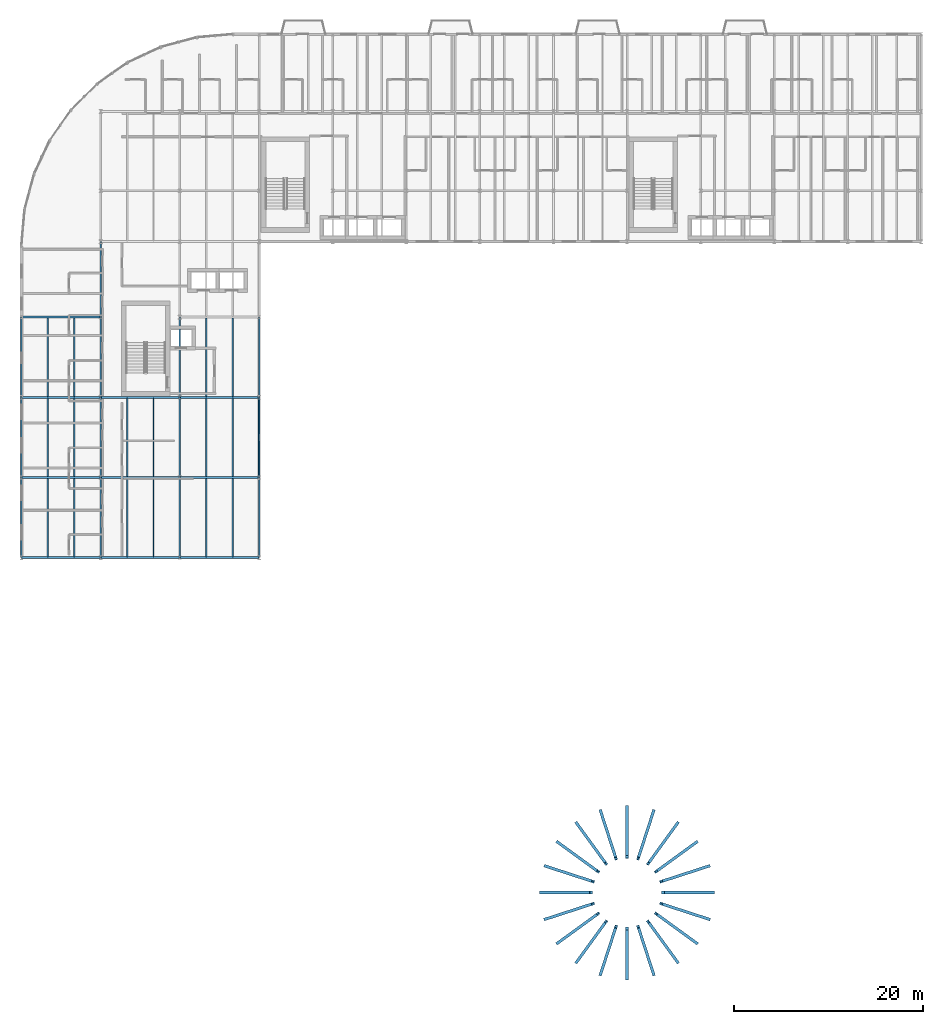
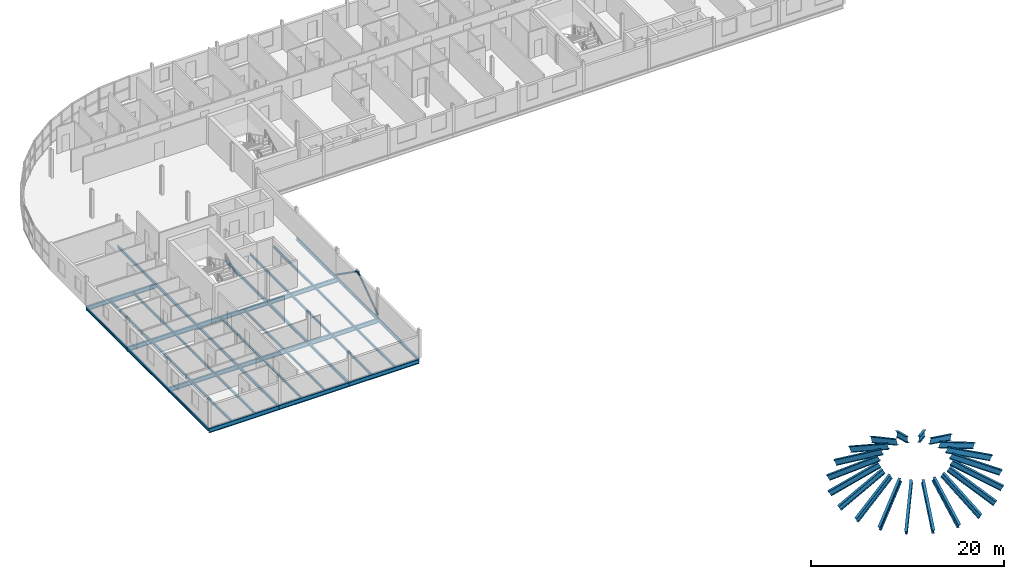
# One storey, part 5 of 25: 39 beams, 22 members.
"""IFC4 building model written with IfcOpenShell, lengths in metres."""

from ifc_helpers import new_model, si_unit, direction, frame, origin, origin_2d, place, context, subcontext, project, spatial, hollow_circle, i_section, extrude, material, material_profile, profile_set, type_object, element, save


model = new_model("IFC4")

# Units and contexts
model_context = context("Model", 3, precision=1e-05, world=origin(), true_north=direction((0.0, 1.0)))
body_context = subcontext(model_context, "Body", "Model", "MODEL_VIEW")
ifc_project = project(units=[si_unit("LENGTHUNIT", "METRE"), si_unit("AREAUNIT", "SQUARE_METRE"), si_unit("VOLUMEUNIT", "CUBIC_METRE"), si_unit("PLANEANGLEUNIT", "RADIAN"), si_unit("MASSUNIT", "GRAM", prefix="KILO")], contexts=[model_context])

# Site, building, storey
site_placement = place(None, origin())
site = spatial("IfcSite", under=ifc_project, at=site_placement, CompositionType="ELEMENT")
building_placement = place(site_placement, origin())
building = spatial("IfcBuilding", under=site, at=building_placement, Name="Sefraquen Railside Congress Hotel", CompositionType="ELEMENT")
storey_placement = place(building_placement, frame((0.0, 0.0, 39.0)))
storey = spatial("IfcBuildingStorey", under=building, at=storey_placement, Name="L09", CompositionType="ELEMENT", Elevation=39.0)

# Beams
ifc_material_1 = material(Name="Steel S355JR", Category="steel")
ifc_material_profile_1 = material_profile(ifc_material_1, i_section(OverallWidth=0.169921875, OverallDepth=0.360107421875, WebThickness=0.008056640625, FlangeThickness=0.0126953125, FilletRadius=0.01806640625, at=origin_2d()), Name="IPE 360")
ifc_profile_set_1 = profile_set([ifc_material_profile_1], Name="Steel S355JR")
beam_type_1 = type_object("IfcBeamType", Name="TB-BM-360", PredefinedType="BEAM", material=ifc_profile_set_1)
for number, where, z_axis, x_axis, name in (
    (1, (0.0, 62.5, -0.39990234375), (0.0, 1.0, 0.0), (-1.0, 0.0, 0.0), "Floor beam BM-L09-2000"),
    (2, (0.0, 71.0, -0.39990234375), (0.0, 1.0, 0.0), (-1.0, 0.0, 0.0), "Floor beam BM-L09-2001"),
    (3, (0.0, 79.5, -0.39990234375), (0.0, 1.0, 0.0), (-1.0, 0.0, 0.0), "Floor beam BM-L09-2002"),
    (4, (8.39990234375, 62.5, -0.39990234375), (0.0, 1.0, 0.0), (-1.0, 0.0, 0.0), "Floor beam BM-L09-2003"),
    (5, (8.39990234375, 71.0, -0.39990234375), (0.0, 1.0, 0.0), (-1.0, 0.0, 0.0), "Floor beam BM-L09-2004"),
    (6, (8.39990234375, 79.5, -0.39990234375), (0.0, 1.0, 0.0), (-1.0, 0.0, 0.0), "Floor beam BM-L09-2005"),
):
    element("IfcBeam", number, at=place(storey_placement, frame(where, z_axis=z_axis, x_axis=x_axis)), inside=storey, type_object=beam_type_1, Name=name, PredefinedType="BEAM", context=body_context, shape_type="SweptSolid", body=[
        extrude(i_section(OverallWidth=0.169921875, OverallDepth=0.360107421875, WebThickness=0.008056640625, FlangeThickness=0.0126953125, FilletRadius=0.01806640625, at=origin_2d()), origin(), (0.0, 0.0, 1.0), 8.5),
    ])
beam_1_placement = place(storey_placement, frame((8.39990234375, 88.0, -0.39990234375), z_axis=(0.0, 1.0, 0.0), x_axis=(-1.0, 0.0, 0.0)))
element("IfcBeam", 7, at=beam_1_placement, inside=storey, type_object=beam_type_1, Name="Floor beam BM-L09-2006", PredefinedType="BEAM", context=body_context, shape_type="SweptSolid", body=[
    extrude(i_section(OverallWidth=0.169921875, OverallDepth=0.360107421875, WebThickness=0.008056640625, FlangeThickness=0.0126953125, FilletRadius=0.01806640625, at=origin_2d()), origin(), (0.0, 0.0, 1.0), 8.0),
])
for number, where, z_axis, x_axis, name in (
    (8, (16.800048828125, 62.5, -0.39990234375), (0.0, 1.0, 0.0), (-1.0, 0.0, 0.0), "Floor beam BM-L09-2009"),
    (9, (16.800048828125, 71.0, -0.39990234375), (0.0, 1.0, 0.0), (-1.0, 0.0, 0.0), "Floor beam BM-L09-2010"),
    (10, (16.800048828125, 79.5, -0.39990234375), (0.0, 1.0, 0.0), (-1.0, 0.0, 0.0), "Floor beam BM-L09-2011"),
    (11, (25.199951171875, 62.5, -0.39990234375), (0.0, 1.0, 0.0), (-1.0, 0.0, 0.0), "Floor beam BM-L09-2015"),
    (12, (25.199951171875, 71.0, -0.39990234375), (0.0, 1.0, 0.0), (-1.0, 0.0, 0.0), "Floor beam BM-L09-2016"),
    (13, (25.199951171875, 79.5, -0.39990234375), (0.0, 1.0, 0.0), (-1.0, 0.0, 0.0), "Floor beam BM-L09-2017"),
):
    element("IfcBeam", number, at=place(storey_placement, frame(where, z_axis=z_axis, x_axis=x_axis)), inside=storey, type_object=beam_type_1, Name=name, PredefinedType="BEAM", context=body_context, shape_type="SweptSolid", body=[
        extrude(i_section(OverallWidth=0.169921875, OverallDepth=0.360107421875, WebThickness=0.008056640625, FlangeThickness=0.0126953125, FilletRadius=0.01806640625, at=origin_2d()), origin(), (0.0, 0.0, 1.0), 8.5),
    ])
ifc_material_profile_2 = material_profile(ifc_material_1, i_section(OverallWidth=0.2099609375, OverallDepth=0.550048828125, WebThickness=0.010986328125, FlangeThickness=0.01708984375, FilletRadius=0.02392578125, at=origin_2d()), Name="IPE 550")
ifc_profile_set_2 = profile_set([ifc_material_profile_2], Name="Steel S355JR")
beam_type_2 = type_object("IfcBeamType", Name="TB-GIR-550", PredefinedType="T_BEAM", material=ifc_profile_set_2)
beam_2_placement = place(storey_placement, frame((0.0, 62.5, -0.4951171875), z_axis=(1.0, 0.0, 0.0), x_axis=(0.0, 1.0, 0.0)))
element("IfcBeam", 14, at=beam_2_placement, inside=storey, type_object=beam_type_2, Name="Primary girder BM-L09-1949", PredefinedType="T_BEAM", context=body_context, shape_type="SweptSolid", body=[
    extrude(i_section(OverallWidth=0.2099609375, OverallDepth=0.550048828125, WebThickness=0.010986328125, FlangeThickness=0.01708984375, FilletRadius=0.02392578125, at=origin_2d()), origin(), (0.0, 0.0, 1.0), 8.39990234375),
])
beam_3_placement = place(storey_placement, frame((8.39990234375, 62.5, -0.4951171875), z_axis=(1.0, 0.0, 0.0), x_axis=(0.0, 1.0, 0.0)))
element("IfcBeam", 15, at=beam_3_placement, inside=storey, type_object=beam_type_2, Name="Primary girder BM-L09-1950", PredefinedType="T_BEAM", context=body_context, shape_type="SweptSolid", body=[
    extrude(i_section(OverallWidth=0.2099609375, OverallDepth=0.550048828125, WebThickness=0.010986328125, FlangeThickness=0.01708984375, FilletRadius=0.02392578125, at=origin_2d()), origin(), (0.0, 0.0, 1.0), 8.400146484375),
])
for number, where, z_axis, x_axis, name in (
    (16, (16.800048828125, 62.5, -0.4951171875), (1.0, 0.0, 0.0), (0.0, 1.0, 0.0), "Primary girder BM-L09-1951"),
    (17, (0.0, 71.0, -0.4951171875), (1.0, 0.0, 0.0), (0.0, 1.0, 0.0), "Primary girder BM-L09-1952"),
):
    element("IfcBeam", number, at=place(storey_placement, frame(where, z_axis=z_axis, x_axis=x_axis)), inside=storey, type_object=beam_type_2, Name=name, PredefinedType="T_BEAM", context=body_context, shape_type="SweptSolid", body=[
        extrude(i_section(OverallWidth=0.2099609375, OverallDepth=0.550048828125, WebThickness=0.010986328125, FlangeThickness=0.01708984375, FilletRadius=0.02392578125, at=origin_2d()), origin(), (0.0, 0.0, 1.0), 8.39990234375),
    ])
beam_4_placement = place(storey_placement, frame((8.39990234375, 71.0, -0.4951171875), z_axis=(1.0, 0.0, 0.0), x_axis=(0.0, 1.0, 0.0)))
element("IfcBeam", 18, at=beam_4_placement, inside=storey, type_object=beam_type_2, Name="Primary girder BM-L09-1953", PredefinedType="T_BEAM", context=body_context, shape_type="SweptSolid", body=[
    extrude(i_section(OverallWidth=0.2099609375, OverallDepth=0.550048828125, WebThickness=0.010986328125, FlangeThickness=0.01708984375, FilletRadius=0.02392578125, at=origin_2d()), origin(), (0.0, 0.0, 1.0), 8.400146484375),
])
for number, where, z_axis, x_axis, name in (
    (19, (16.800048828125, 71.0, -0.4951171875), (1.0, 0.0, 0.0), (0.0, 1.0, 0.0), "Primary girder BM-L09-1954"),
    (20, (0.0, 79.5, -0.4951171875), (1.0, 0.0, 0.0), (0.0, 1.0, 0.0), "Primary girder BM-L09-1955"),
):
    element("IfcBeam", number, at=place(storey_placement, frame(where, z_axis=z_axis, x_axis=x_axis)), inside=storey, type_object=beam_type_2, Name=name, PredefinedType="T_BEAM", context=body_context, shape_type="SweptSolid", body=[
        extrude(i_section(OverallWidth=0.2099609375, OverallDepth=0.550048828125, WebThickness=0.010986328125, FlangeThickness=0.01708984375, FilletRadius=0.02392578125, at=origin_2d()), origin(), (0.0, 0.0, 1.0), 8.39990234375),
    ])
beam_5_placement = place(storey_placement, frame((8.39990234375, 79.5, -0.4951171875), z_axis=(1.0, 0.0, 0.0), x_axis=(0.0, 1.0, 0.0)))
element("IfcBeam", 21, at=beam_5_placement, inside=storey, type_object=beam_type_2, Name="Primary girder BM-L09-1956", PredefinedType="T_BEAM", context=body_context, shape_type="SweptSolid", body=[
    extrude(i_section(OverallWidth=0.2099609375, OverallDepth=0.550048828125, WebThickness=0.010986328125, FlangeThickness=0.01708984375, FilletRadius=0.02392578125, at=origin_2d()), origin(), (0.0, 0.0, 1.0), 8.400146484375),
])
for number, where, z_axis, x_axis, name in (
    (22, (16.800048828125, 79.5, -0.4951171875), (1.0, 0.0, 0.0), (0.0, 1.0, 0.0), "Primary girder BM-L09-1957"),
    (23, (0.0, 88.0, -0.4951171875), (1.0, 0.0, 0.0), (0.0, 1.0, 0.0), "Primary girder BM-L09-1958"),
):
    element("IfcBeam", number, at=place(storey_placement, frame(where, z_axis=z_axis, x_axis=x_axis)), inside=storey, type_object=beam_type_2, Name=name, PredefinedType="T_BEAM", context=body_context, shape_type="SweptSolid", body=[
        extrude(i_section(OverallWidth=0.2099609375, OverallDepth=0.550048828125, WebThickness=0.010986328125, FlangeThickness=0.01708984375, FilletRadius=0.02392578125, at=origin_2d()), origin(), (0.0, 0.0, 1.0), 8.39990234375),
    ])
ifc_material_profile_3 = material_profile(ifc_material_1, i_section(OverallWidth=0.14990234375, OverallDepth=0.300048828125, WebThickness=0.007080078125, FlangeThickness=0.0107421875, FilletRadius=0.014892578125, at=origin_2d()), Name="IPE 300")
ifc_profile_set_3 = profile_set([ifc_material_profile_3], Name="Steel S355JR")
beam_type_3 = type_object("IfcBeamType", Name="TB-JST-300", PredefinedType="JOIST", material=ifc_profile_set_3)
for number, where, z_axis, x_axis, name in (
    (24, (2.800048828125, 62.5849609375, -0.3701171875), (0.0, 1.0, 0.0), (-1.0, 0.0, 0.0), "Composite floor joist BM-L09-J1324"),
    (25, (5.60009765625, 62.5849609375, -0.3701171875), (0.0, 1.0, 0.0), (-1.0, 0.0, 0.0), "Composite floor joist BM-L09-J1325"),
    (26, (2.800048828125, 71.0849609375, -0.3701171875), (0.0, 1.0, 0.0), (-1.0, 0.0, 0.0), "Composite floor joist BM-L09-J1326"),
    (27, (5.60009765625, 71.0849609375, -0.3701171875), (0.0, 1.0, 0.0), (-1.0, 0.0, 0.0), "Composite floor joist BM-L09-J1327"),
    (28, (2.800048828125, 79.5849609375, -0.3701171875), (0.0, 1.0, 0.0), (-1.0, 0.0, 0.0), "Composite floor joist BM-L09-J1328"),
    (29, (5.60009765625, 79.5849609375, -0.3701171875), (0.0, 1.0, 0.0), (-1.0, 0.0, 0.0), "Composite floor joist BM-L09-J1329"),
    (30, (11.199951171875, 62.5849609375, -0.3701171875), (0.0, 1.0, 0.0), (-1.0, 0.0, 0.0), "Composite floor joist BM-L09-J1330"),
    (31, (14.0, 62.5849609375, -0.3701171875), (0.0, 1.0, 0.0), (-1.0, 0.0, 0.0), "Composite floor joist BM-L09-J1331"),
    (32, (11.199951171875, 71.0849609375, -0.3701171875), (0.0, 1.0, 0.0), (-1.0, 0.0, 0.0), "Composite floor joist BM-L09-J1332"),
    (33, (14.0, 71.0849609375, -0.3701171875), (0.0, 1.0, 0.0), (-1.0, 0.0, 0.0), "Composite floor joist BM-L09-J1333"),
    (34, (19.60009765625, 62.5849609375, -0.3701171875), (0.0, 1.0, 0.0), (-1.0, 0.0, 0.0), "Composite floor joist BM-L09-J1338"),
    (35, (22.39990234375, 62.5849609375, -0.3701171875), (0.0, 1.0, 0.0), (-1.0, 0.0, 0.0), "Composite floor joist BM-L09-J1339"),
    (36, (19.60009765625, 71.0849609375, -0.3701171875), (0.0, 1.0, 0.0), (-1.0, 0.0, 0.0), "Composite floor joist BM-L09-J1340"),
    (37, (22.39990234375, 71.0849609375, -0.3701171875), (0.0, 1.0, 0.0), (-1.0, 0.0, 0.0), "Composite floor joist BM-L09-J1341"),
    (38, (19.60009765625, 79.5849609375, -0.3701171875), (0.0, 1.0, 0.0), (-1.0, 0.0, 0.0), "Composite floor joist BM-L09-J1342"),
    (39, (22.39990234375, 79.5849609375, -0.3701171875), (0.0, 1.0, 0.0), (-1.0, 0.0, 0.0), "Composite floor joist BM-L09-J1343"),
):
    element("IfcBeam", number, at=place(storey_placement, frame(where, z_axis=z_axis, x_axis=x_axis)), inside=storey, type_object=beam_type_3, Name=name, PredefinedType="JOIST", context=body_context, shape_type="SweptSolid", body=[
        extrude(i_section(OverallWidth=0.14990234375, OverallDepth=0.300048828125, WebThickness=0.007080078125, FlangeThickness=0.0107421875, FilletRadius=0.014892578125, at=origin_2d()), origin(), (0.0, 0.0, 1.0), 8.330078125),
    ])

# Members
ifc_material_2 = material(Name="Steel S355J2", Category="steel")
ifc_material_profile_4 = material_profile(ifc_material_2, hollow_circle(Radius=0.109619140625, WallThickness=0.010009765625, at=origin_2d()), Name="CHS 219.1x10")
ifc_profile_set_4 = profile_set([ifc_material_profile_4], Name="Steel S355J2")
member_type_1 = type_object("IfcMemberType", Name="TM-BR-219", PredefinedType="BRACE", material=ifc_profile_set_4)
for number, where, z_axis, x_axis, name in (
    (40, (25.199951171875, 71.0, 0.14990234375), (0.0, 0.818780891448, 0.574106132871), (-1.0, 0.0, 0.0), "Chevron braced-frame diagonal BF2-L L09"),
    (41, (25.199951171875, 79.5, 0.14990234375), (0.0, -0.818780891448, 0.574106132871), (1.0, 0.0, 0.0), "Chevron braced-frame diagonal BF2-R L09"),
):
    element("IfcMember", number, at=place(storey_placement, frame(where, z_axis=z_axis, x_axis=x_axis)), inside=storey, type_object=member_type_1, Name=name, PredefinedType="BRACE", context=body_context, shape_type="SweptSolid", body=[
        extrude(hollow_circle(Radius=0.109619140625, WallThickness=0.010009765625, at=origin_2d()), origin(), (0.0, 0.0, 1.0), 5.190673828125),
    ])
ifc_material_profile_5 = material_profile(ifc_material_2, i_section(OverallWidth=0.300048828125, OverallDepth=0.679931640625, WebThickness=0.01611328125, FlangeThickness=0.028076171875, at=origin_2d()), Name="DR 680x300")
ifc_profile_set_5 = profile_set([ifc_material_profile_5], Name="Steel S355J2")
member_type_2 = type_object("IfcMemberType", Name="TM-RAF-680", PredefinedType="RAFTER", material=ifc_profile_set_5)
for number, where, z_axis, x_axis, name in (
    (42, (73.300048828125, 27.0, -8.080078125), (-0.880394258342, 0.0, 0.474242501131), (0.0, -1.0, 0.0), "Dome radial rib rafter 01.3"),
    (43, (72.8544921875, 29.81201171875, -8.080078125), (-0.837302962154, -0.272044380031, 0.474252680395), (0.309004825775, -0.951060470027, 0.0), "Dome radial rib rafter 02.3"),
):
    element("IfcMember", number, at=place(storey_placement, frame(where, z_axis=z_axis, x_axis=x_axis)), inside=storey, type_object=member_type_2, Name=name, PredefinedType="RAFTER", context=body_context, shape_type="SweptSolid", body=[
        extrude(i_section(OverallWidth=0.300048828125, OverallDepth=0.679931640625, WebThickness=0.01611328125, FlangeThickness=0.028076171875, at=origin_2d()), origin(), (0.0, 0.0, 1.0), 6.02001953125),
    ])
member_1_placement = place(storey_placement, frame((71.56201171875, 32.348876953125, -8.080078125), z_axis=(-0.712238374137, -0.517490129484, 0.474257803619), x_axis=(0.587799125119, -0.809006914995, 0.0)))
element("IfcMember", 44, at=member_1_placement, inside=storey, type_object=member_type_2, Name="Dome radial rib rafter 03.3", PredefinedType="RAFTER", context=body_context, shape_type="SweptSolid", body=[
    extrude(i_section(OverallWidth=0.300048828125, OverallDepth=0.679931640625, WebThickness=0.01611328125, FlangeThickness=0.028076171875, at=origin_2d()), origin(), (0.0, 0.0, 1.0), 6.019775390625),
])
for number, where, z_axis, x_axis, name in (
    (45, (69.548828125, 34.362060546875, -8.080078125), (-0.517475181852, -0.712258355711, 0.474244104747), (0.809022830186, -0.587777219904, 0.0), "Dome radial rib rafter 04.3"),
    (46, (67.01220703125, 35.654541015625, -8.080078125), (-0.272081933208, -0.837293723807, 0.474247447748), (0.951046931585, -0.309046491524, 0.0), "Dome radial rib rafter 05.3"),
    (47, (64.199951171875, 36.10009765625, -8.080078125), (0.0, -0.880394258342, 0.474242501131), (1.0, 0.0, 0.0), "Dome radial rib rafter 06.3"),
    (48, (61.387939453125, 35.654541015625, -8.080078125), (0.272044380031, -0.837302962154, 0.474252680395), (0.951060470027, 0.309004825775, 0.0), "Dome radial rib rafter 07.3"),
    (49, (58.851318359375, 34.362060546875, -8.080078125), (0.517445486138, -0.712273303005, 0.474254057128), (0.809044734831, 0.587747068935, 0.0), "Dome radial rib rafter 08.3"),
    (50, (56.837890625, 32.348876953125, -8.080078125), (0.712258355711, -0.517475181852, 0.474244104747), (0.587777219904, 0.809022830186, 0.0), "Dome radial rib rafter 09.3"),
    (51, (55.54541015625, 29.81201171875, -8.080078125), (0.837302962154, -0.272044380031, 0.474252680395), (0.309004825775, 0.951060470027, 0.0), "Dome radial rib rafter 10.3"),
):
    element("IfcMember", number, at=place(storey_placement, frame(where, z_axis=z_axis, x_axis=x_axis)), inside=storey, type_object=member_type_2, Name=name, PredefinedType="RAFTER", context=body_context, shape_type="SweptSolid", body=[
        extrude(i_section(OverallWidth=0.300048828125, OverallDepth=0.679931640625, WebThickness=0.01611328125, FlangeThickness=0.028076171875, at=origin_2d()), origin(), (0.0, 0.0, 1.0), 6.02001953125),
    ])
member_2_placement = place(storey_placement, frame((55.10009765625, 27.0, -8.080078125), z_axis=(0.88038513694, 0.0, 0.474259433913), x_axis=(0.0, 1.0, 0.0)))
element("IfcMember", 52, at=member_2_placement, inside=storey, type_object=member_type_2, Name="Dome radial rib rafter 11.3", PredefinedType="RAFTER", context=body_context, shape_type="SweptSolid", body=[
    extrude(i_section(OverallWidth=0.300048828125, OverallDepth=0.679931640625, WebThickness=0.01611328125, FlangeThickness=0.028076171875, at=origin_2d()), origin(), (0.0, 0.0, 1.0), 6.019775390625),
])
for number, where, z_axis, x_axis, name in (
    (53, (55.54541015625, 24.18798828125, -8.080078125), (0.837302962154, 0.272044380031, 0.474252680395), (-0.309004825775, 0.951060470027, 0.0), "Dome radial rib rafter 12.3"),
    (54, (56.837890625, 21.651123046875, -8.080078125), (0.712258355711, 0.517475181852, 0.474244104747), (-0.587777219904, 0.809022830186, 0.0), "Dome radial rib rafter 13.3"),
    (55, (58.851318359375, 19.637939453125, -8.080078125), (0.517445486138, 0.712273303005, 0.474254057128), (-0.809044734831, 0.587747068935, 0.0), "Dome radial rib rafter 14.3"),
    (56, (61.387939453125, 18.345458984375, -8.080078125), (0.272044380031, 0.837302962154, 0.474252680395), (-0.951060470027, 0.309004825775, 0.0), "Dome radial rib rafter 15.3"),
    (57, (64.199951171875, 17.89990234375, -8.080078125), (0.0, 0.880394258342, 0.474242501131), (-1.0, 0.0, 0.0), "Dome radial rib rafter 16.3"),
    (58, (67.01220703125, 18.345458984375, -8.080078125), (-0.272081933208, 0.837293723807, 0.474247447748), (-0.951046931585, -0.309046491524, 0.0), "Dome radial rib rafter 17.3"),
    (59, (69.548828125, 19.637939453125, -8.080078125), (-0.517475181852, 0.712258355711, 0.474244104747), (-0.809022830186, -0.587777219904, 0.0), "Dome radial rib rafter 18.3"),
):
    element("IfcMember", number, at=place(storey_placement, frame(where, z_axis=z_axis, x_axis=x_axis)), inside=storey, type_object=member_type_2, Name=name, PredefinedType="RAFTER", context=body_context, shape_type="SweptSolid", body=[
        extrude(i_section(OverallWidth=0.300048828125, OverallDepth=0.679931640625, WebThickness=0.01611328125, FlangeThickness=0.028076171875, at=origin_2d()), origin(), (0.0, 0.0, 1.0), 6.02001953125),
    ])
member_3_placement = place(storey_placement, frame((71.56201171875, 21.651123046875, -8.080078125), z_axis=(-0.712238374137, 0.517490129484, 0.474257803619), x_axis=(-0.587799125119, -0.809006914995, 0.0)))
element("IfcMember", 60, at=member_3_placement, inside=storey, type_object=member_type_2, Name="Dome radial rib rafter 19.3", PredefinedType="RAFTER", context=body_context, shape_type="SweptSolid", body=[
    extrude(i_section(OverallWidth=0.300048828125, OverallDepth=0.679931640625, WebThickness=0.01611328125, FlangeThickness=0.028076171875, at=origin_2d()), origin(), (0.0, 0.0, 1.0), 6.019775390625),
])
member_4_placement = place(storey_placement, frame((72.8544921875, 24.18798828125, -8.080078125), z_axis=(-0.837302962154, 0.272044380031, 0.474252680395), x_axis=(-0.309004825775, -0.951060470027, 0.0)))
element("IfcMember", 61, at=member_4_placement, inside=storey, type_object=member_type_2, Name="Dome radial rib rafter 20.3", PredefinedType="RAFTER", context=body_context, shape_type="SweptSolid", body=[
    extrude(i_section(OverallWidth=0.300048828125, OverallDepth=0.679931640625, WebThickness=0.01611328125, FlangeThickness=0.028076171875, at=origin_2d()), origin(), (0.0, 0.0, 1.0), 6.02001953125),
])

save(model, "model.ifc")
